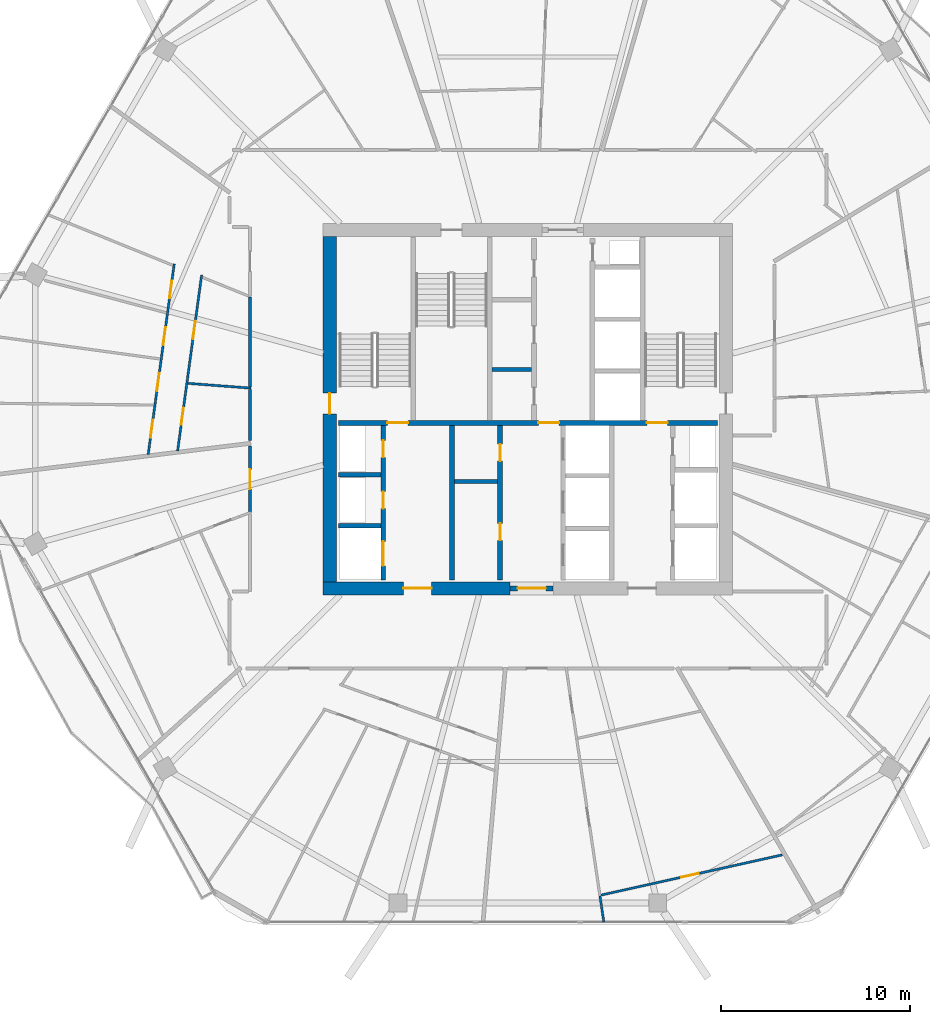
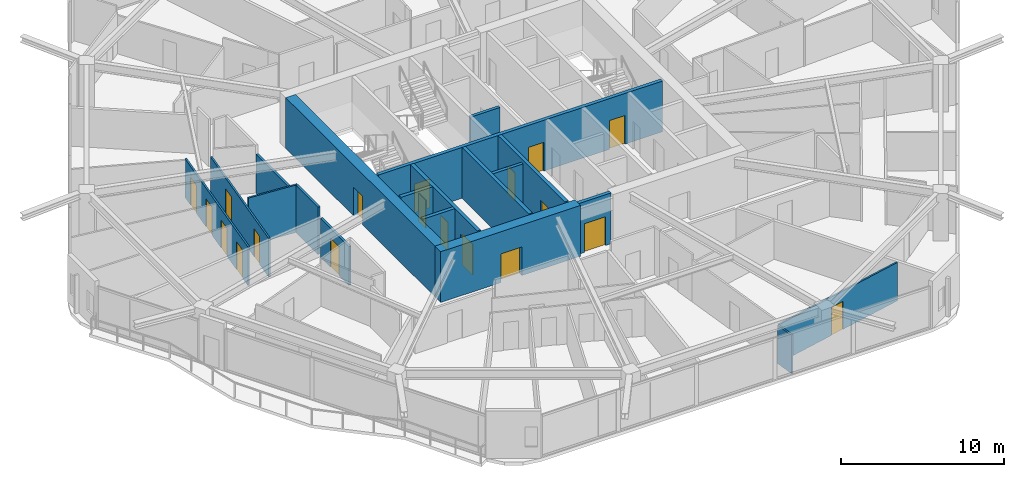
# One storey, part 19 of 26: 19 doors, 19 walls, 19 openings.
"""IFC4 building model written with IfcOpenShell, lengths in metres."""

from ifc_helpers import new_model, si_unit, direction, frame, frame_2d, origin, place, context, subcontext, project, spatial, rectangle, extrude, material, layer, layer_set, type_object, element, fill, save


model = new_model("IFC4")

# Units and contexts
model_context = context("Model", 3, precision=1e-05, world=origin(), true_north=direction((0.0, 1.0)))
body_context = subcontext(model_context, "Body", "Model", "MODEL_VIEW")
ifc_project = project(units=[si_unit("LENGTHUNIT", "METRE"), si_unit("AREAUNIT", "SQUARE_METRE"), si_unit("VOLUMEUNIT", "CUBIC_METRE"), si_unit("PLANEANGLEUNIT", "RADIAN"), si_unit("MASSUNIT", "GRAM", prefix="KILO")], contexts=[model_context])

# Site, building, storey
site_placement = place(None, origin())
site = spatial("IfcSite", under=ifc_project, at=site_placement, CompositionType="ELEMENT")
building_placement = place(site_placement, origin())
building = spatial("IfcBuilding", under=site, at=building_placement, Name="Zuhravey Tower", CompositionType="ELEMENT")
storey_placement = place(building_placement, frame((0.0, 0.0, 203.60009765625)))
storey = spatial("IfcBuildingStorey", under=building, at=storey_placement, Name="L51", CompositionType="ELEMENT", Elevation=203.60009765625)

# Wall, opening, door
ifc_material_1 = material(Name="Concrete C60/75", Category="concrete")
ifc_layer_1 = layer(ifc_material_1, 0.699951171875)
ifc_layer_set_1 = layer_set([ifc_layer_1], Name="Concrete C60/75")
wall_type_1 = type_object("IfcWallType", Name="Core Shear Wall 700", PredefinedType="SHEAR", material=ifc_layer_set_1)
wall_1_placement = place(storey_placement, frame((25.14990234375, 22.5, 0.0), z_axis=(0.0, 0.0, 1.0), x_axis=(1.0, 0.0, 0.0)))
wall_1 = element("IfcWall", 1, at=wall_1_placement, inside=storey, type_object=wall_type_1, Name="L51 South-West Core Shear Wall CW70", PredefinedType="SHEAR", context=body_context, shape_type="SweptSolid", body=[
    extrude(rectangle(XDim=9.900146484375, YDim=0.699951171875, at=frame_2d((4.9501953125, 0.0))), origin(), (0.0, 0.0, 1.0), 3.7998046875),
])
opening_1_placement = place(wall_1_placement, frame((4.25, 0.0, 0.0)))
opening_1 = element("IfcOpeningElement", 2, at=opening_1_placement, cuts=wall_1, Name="Opening FFD1", PredefinedType="OPENING", context=body_context, shape_type="SweptSolid", body=[
    extrude(rectangle(XDim=1.5, YDim=2.14990234375, at=frame_2d((0.75, 1.074951171875))), frame((0.0, 0.362060546875, 0.0), z_axis=(0.0, -1.0, 0.0), x_axis=(1.0, 0.0, 0.0)), (0.0, 0.0, 1.0), 0.723876953125),
])
ifc_material_2 = material(Name="Galvanised fire-rated steel leaf", Category="steel")
door_type_1 = type_object("IfcDoorType", Name="Firefighting Lobby Double Door 1500x2150", OperationType="DOUBLE_DOOR_SINGLE_SWING", PredefinedType="DOOR", material=ifc_material_2)
door_1_placement = place(opening_1_placement, origin())
door_1 = element("IfcDoor", 3, at=door_1_placement, inside=storey, type_object=door_type_1, Name="L51 Firefighting Lobby West Door", OperationType="DOUBLE_DOOR_SINGLE_SWING", OverallHeight=2.14990234375, OverallWidth=1.5, PredefinedType="DOOR", context=body_context, shape_type="SweptSolid", body=[
    extrude(rectangle(XDim=1.5, YDim=2.14990234375, at=frame_2d((0.75, 1.074951171875))), frame((0.0, 0.02490234375, 0.0), z_axis=(0.0, -1.0, 0.0), x_axis=(1.0, 0.0, 0.0)), (0.0, 0.0, 1.0), 0.050048828125),
])
fill(opening_1, door_1)

wall_2_placement = place(storey_placement, frame((25.5, 22.85009765625, 0.0), z_axis=(0.0, 0.0, 1.0), x_axis=(0.0, 1.0, 0.0)))
wall_2 = element("IfcWall", 4, at=wall_2_placement, inside=storey, type_object=wall_type_1, Name="L51 West Core Shear Wall CW70", PredefinedType="SHEAR", context=body_context, shape_type="SweptSolid", body=[
    extrude(rectangle(XDim=18.2998046875, YDim=0.699951171875, at=frame_2d((9.14990234375, 0.0))), origin(), (0.0, 0.0, 1.0), 3.7998046875),
])
opening_2_placement = place(wall_2_placement, frame((8.89990234375, 0.0, 0.0)))
opening_2 = element("IfcOpeningElement", 5, at=opening_2_placement, cuts=wall_2, Name="Opening STD1", PredefinedType="OPENING", context=body_context, shape_type="SweptSolid", body=[
    extrude(rectangle(XDim=1.10009765625, YDim=2.14990234375, at=frame_2d((0.550048828125, 1.074951171875))), frame((0.0, 0.362060546875, 0.0), z_axis=(0.0, -1.0, 0.0), x_axis=(1.0, 0.0, 0.0)), (0.0, 0.0, 1.0), 0.723876953125),
])
door_type_2 = type_object("IfcDoorType", Name="Protected Stair Fire Door 1100x2150", OperationType="NOTDEFINED", PredefinedType="USERDEFINED", material=ifc_material_2)
door_2_placement = place(opening_2_placement, frame((1.10009765625, 0.0, 0.0), z_axis=(0.0, 0.0, 1.0), x_axis=(-1.0, 0.0, 0.0)))
door_2 = element("IfcDoor", 6, at=door_2_placement, inside=storey, type_object=door_type_2, Name="L51 Stair ST1 Door", ObjectType="EXITDOOR", OperationType="SINGLE_SWING_RIGHT", OverallHeight=2.14990234375, OverallWidth=1.10009765625, PredefinedType="USERDEFINED", context=body_context, shape_type="SweptSolid", body=[
    extrude(rectangle(XDim=1.10009765625, YDim=2.14990234375, at=frame_2d((0.550048828125, 1.074951171875))), frame((0.0, 0.02490234375, 0.0), z_axis=(0.0, -1.0, 0.0), x_axis=(1.0, 0.0, 0.0)), (0.0, 0.0, 1.0), 0.050048828125),
])
fill(opening_2, door_2)

ifc_material_3 = material(Name="Gypsum fire-rated stud partition")
ifc_layer_2 = layer(ifc_material_3, 0.159912109375)
ifc_layer_set_2 = layer_set([ifc_layer_2], Name="Gypsum fire-rated stud partition")
wall_type_2 = type_object("IfcWallType", Name="Corridor Fire Partition 160", PredefinedType="PARTITIONING", material=ifc_layer_set_2)
wall_3_placement = place(storey_placement, frame((21.27001953125, 30.04052734375, 0.0), z_axis=(0.0, 0.0, 1.0), x_axis=(0.0, -1.0, 0.0)))
wall_3 = element("IfcWall", 7, at=wall_3_placement, inside=storey, type_object=wall_type_2, Name="L51 IW16 Partition 039", PredefinedType="PARTITIONING", context=body_context, shape_type="SweptSolid", body=[
    extrude(rectangle(XDim=3.503173828125, YDim=0.159912109375, at=frame_2d((1.75146484375, 0.0))), origin(), (0.0, 0.0, 1.0), 2.89990234375),
])
opening_3_placement = place(wall_3_placement, frame((1.2265625, 0.0, 0.0)))
opening_3 = element("IfcOpeningElement", 8, at=opening_3_placement, cuts=wall_3, Name="Opening APD1", PredefinedType="OPENING", context=body_context, shape_type="SweptSolid", body=[
    extrude(rectangle(XDim=1.050048828125, YDim=2.14990234375, at=frame_2d((0.52490234375, 1.074951171875))), frame((0.0, 0.092041015625, 0.0), z_axis=(0.0, -1.0, 0.0), x_axis=(1.0, 0.0, 0.0)), (0.0, 0.0, 1.0), 0.183837890625),
])
ifc_material_4 = material(Name="Solid-core oak fire-rated leaf")
door_type_3 = type_object("IfcDoorType", Name="Apartment Entrance Fire Door 1050x2150", OperationType="NOTDEFINED", PredefinedType="DOOR", material=ifc_material_4)
door_3_placement = place(opening_3_placement, frame((1.050048828125, 0.0, 0.0), z_axis=(0.0, 0.0, 1.0), x_axis=(-1.0, 0.0, 0.0)))
door_3 = element("IfcDoor", 9, at=door_3_placement, inside=storey, type_object=door_type_3, Name="L51 Door 039.1", OperationType="SINGLE_SWING_RIGHT", OverallHeight=2.14990234375, OverallWidth=1.050048828125, PredefinedType="DOOR", context=body_context, shape_type="SweptSolid", body=[
    extrude(rectangle(XDim=1.050048828125, YDim=2.14990234375, at=frame_2d((0.52490234375, 1.074951171875))), frame((0.0, 0.02490234375, 0.0), z_axis=(0.0, -1.0, 0.0), x_axis=(1.0, 0.0, 0.0)), (0.0, 0.0, 1.0), 0.050048828125),
])
fill(opening_3, door_3)

# Walls
wall_4_placement = place(storey_placement, frame((21.27001953125, 37.94775390625, 0.0), z_axis=(0.0, 0.0, 1.0), x_axis=(0.0, -1.0, 0.0)))
element("IfcWall", 10, at=wall_4_placement, inside=storey, type_object=wall_type_2, Name="L51 IW16 Partition 127", PredefinedType="PARTITIONING", context=body_context, shape_type="SweptSolid", body=[
    extrude(rectangle(XDim=4.75830078125, YDim=0.159912109375, at=frame_2d((2.379150390625, 0.0))), origin(), (0.0, 0.0, 1.0), 2.89990234375),
])
wall_5_placement = place(storey_placement, frame((21.27001953125, 33.052978515625, 0.0), z_axis=(0.0, 0.0, 1.0), x_axis=(0.0, -1.0, 0.0)))
element("IfcWall", 11, at=wall_5_placement, inside=storey, type_object=wall_type_2, Name="L51 IW16 Partition 128", PredefinedType="PARTITIONING", context=body_context, shape_type="SweptSolid", body=[
    extrude(rectangle(XDim=2.711181640625, YDim=0.159912109375, at=frame_2d((1.35546875, 0.0))), origin(), (0.0, 0.0, 1.0), 3.5498046875),
])

# Wall, opening, door
ifc_material_5 = material(Name="Concrete C50/60", Category="concrete")
ifc_layer_3 = layer(ifc_material_5, 0.25)
ifc_layer_set_3 = layer_set([ifc_layer_3], Name="Concrete C50/60")
wall_type_3 = type_object("IfcWallType", Name="Firefighting Shaft & Stair Wall 250", PredefinedType="SOLIDWALL", material=ifc_layer_set_3)
wall_6_placement = place(storey_placement, frame((35.06005859375, 22.5, 0.0), z_axis=(0.0, 0.0, 1.0), x_axis=(1.0, 0.0, 0.0)))
wall_6 = element("IfcWall", 12, at=wall_6_placement, inside=storey, type_object=wall_type_3, Name="L51 FW25 Shaft Wall 001", PredefinedType="SOLIDWALL", context=body_context, shape_type="SweptSolid", body=[
    extrude(rectangle(XDim=2.280029296875, YDim=0.25, at=frame_2d((1.14013671875, 0.0))), origin(), (0.0, 0.0, 1.0), 3.7998046875),
])
opening_4_placement = place(wall_6_placement, frame((0.389892578125, 0.0, 0.0)))
opening_4 = element("IfcOpeningElement", 13, at=opening_4_placement, cuts=wall_6, Name="Opening FFD1", PredefinedType="OPENING", context=body_context, shape_type="SweptSolid", body=[
    extrude(rectangle(XDim=1.5, YDim=2.14990234375, at=frame_2d((0.75, 1.074951171875))), frame((0.0, 0.136962890625, 0.0), z_axis=(0.0, -1.0, 0.0), x_axis=(1.0, 0.0, 0.0)), (0.0, 0.0, 1.0), 0.27392578125),
])
door_4_placement = place(opening_4_placement, frame((1.5, 0.0, 0.0), z_axis=(0.0, 0.0, 1.0), x_axis=(-1.0, 0.0, 0.0)))
door_4 = element("IfcDoor", 14, at=door_4_placement, inside=storey, type_object=door_type_1, Name="L51 South Lift Lobby Exit Door", OperationType="DOUBLE_DOOR_SINGLE_SWING", OverallHeight=2.14990234375, OverallWidth=1.5, PredefinedType="DOOR", context=body_context, shape_type="SweptSolid", body=[
    extrude(rectangle(XDim=1.5, YDim=2.14990234375, at=frame_2d((0.75, 1.074951171875))), frame((0.0, 0.02490234375, 0.0), z_axis=(0.0, -1.0, 0.0), x_axis=(1.0, 0.0, 0.0)), (0.0, 0.0, 1.0), 0.050048828125),
])
fill(opening_4, door_4)

# Wall, openings, doors
wall_7_placement = place(storey_placement, frame((25.949951171875, 31.27490234375, 0.0), z_axis=(0.0, 0.0, 1.0), x_axis=(1.0, 0.0, 0.0)))
wall_7 = element("IfcWall", 15, at=wall_7_placement, inside=storey, type_object=wall_type_3, Name="L51 FW25 Shaft Wall 003", PredefinedType="SOLIDWALL", context=body_context, shape_type="SweptSolid", body=[
    extrude(rectangle(XDim=20.10009765625, YDim=0.25, at=frame_2d((10.050048828125, 0.0))), origin(), (0.0, 0.0, 1.0), 3.7998046875),
])
opening_5_placement = place(wall_7_placement, frame((2.60009765625, 0.0, 0.0)))
opening_5 = element("IfcOpeningElement", 16, at=opening_5_placement, cuts=wall_7, Name="Opening STD1", PredefinedType="OPENING", context=body_context, shape_type="SweptSolid", body=[
    extrude(rectangle(XDim=1.10009765625, YDim=2.14990234375, at=frame_2d((0.550048828125, 1.074951171875))), frame((0.0, 0.136962890625, 0.0), z_axis=(0.0, -1.0, 0.0), x_axis=(1.0, 0.0, 0.0)), (0.0, 0.0, 1.0), 0.27392578125),
])
opening_6_placement = place(wall_7_placement, frame((10.60009765625, 0.0, 0.0)))
opening_6 = element("IfcOpeningElement", 17, at=opening_6_placement, cuts=wall_7, Name="Opening STD1", PredefinedType="OPENING", context=body_context, shape_type="SweptSolid", body=[
    extrude(rectangle(XDim=1.10009765625, YDim=2.14990234375, at=frame_2d((0.550048828125, 1.074951171875))), frame((0.0, 0.136962890625, 0.0), z_axis=(0.0, -1.0, 0.0), x_axis=(1.0, 0.0, 0.0)), (0.0, 0.0, 1.0), 0.27392578125),
])
opening_7_placement = place(wall_7_placement, frame((16.35009765625, 0.0, 0.0)))
opening_7 = element("IfcOpeningElement", 18, at=opening_7_placement, cuts=wall_7, Name="Opening STD1", PredefinedType="OPENING", context=body_context, shape_type="SweptSolid", body=[
    extrude(rectangle(XDim=1.10009765625, YDim=2.14990234375, at=frame_2d((0.550048828125, 1.074951171875))), frame((0.0, 0.136962890625, 0.0), z_axis=(0.0, -1.0, 0.0), x_axis=(1.0, 0.0, 0.0)), (0.0, 0.0, 1.0), 0.27392578125),
])
door_5_placement = place(opening_5_placement, origin())
door_5 = element("IfcDoor", 19, at=door_5_placement, inside=storey, type_object=door_type_2, Name="L51 FFL-W to ST1 Door", ObjectType="EXITDOOR", OperationType="SINGLE_SWING_LEFT", OverallHeight=2.14990234375, OverallWidth=1.10009765625, PredefinedType="USERDEFINED", context=body_context, shape_type="SweptSolid", body=[
    extrude(rectangle(XDim=1.10009765625, YDim=2.14990234375, at=frame_2d((0.550048828125, 1.074951171875))), frame((0.0, 0.02490234375, 0.0), z_axis=(0.0, -1.0, 0.0), x_axis=(1.0, 0.0, 0.0)), (0.0, 0.0, 1.0), 0.050048828125),
])
fill(opening_5, door_5)
door_6_placement = place(opening_6_placement, origin())
door_6 = element("IfcDoor", 20, at=door_6_placement, inside=storey, type_object=door_type_2, Name="L51 Core Lobby Link Door", ObjectType="EXITDOOR", OperationType="SINGLE_SWING_RIGHT", OverallHeight=2.14990234375, OverallWidth=1.10009765625, PredefinedType="USERDEFINED", context=body_context, shape_type="SweptSolid", body=[
    extrude(rectangle(XDim=1.10009765625, YDim=2.14990234375, at=frame_2d((0.550048828125, 1.074951171875))), frame((0.0, 0.02490234375, 0.0), z_axis=(0.0, -1.0, 0.0), x_axis=(1.0, 0.0, 0.0)), (0.0, 0.0, 1.0), 0.050048828125),
])
fill(opening_6, door_6)
door_7_placement = place(opening_7_placement, origin())
door_7 = element("IfcDoor", 21, at=door_7_placement, inside=storey, type_object=door_type_2, Name="L51 FFL-E to ST2 Door", ObjectType="EXITDOOR", OperationType="SINGLE_SWING_LEFT", OverallHeight=2.14990234375, OverallWidth=1.10009765625, PredefinedType="USERDEFINED", context=body_context, shape_type="SweptSolid", body=[
    extrude(rectangle(XDim=1.10009765625, YDim=2.14990234375, at=frame_2d((0.550048828125, 1.074951171875))), frame((0.0, 0.02490234375, 0.0), z_axis=(0.0, -1.0, 0.0), x_axis=(1.0, 0.0, 0.0)), (0.0, 0.0, 1.0), 0.050048828125),
])
fill(opening_7, door_7)

# Walls
for number, where, z_axis, x_axis, name in (
    (22, (25.949951171875, 25.824951171875, 0.0), (0.0, 0.0, 1.0), (1.0, 0.0, 0.0), "L51 FW25 Shaft Wall 009"),
    (23, (25.949951171875, 28.52490234375, 0.0), (0.0, 0.0, 1.0), (1.0, 0.0, 0.0), "L51 FW25 Shaft Wall 010"),
):
    element("IfcWall", number, at=place(storey_placement, frame(where, z_axis=z_axis, x_axis=x_axis)), inside=storey, type_object=wall_type_3, Name=name, PredefinedType="SOLIDWALL", context=body_context, shape_type="SweptSolid", body=[
        extrude(rectangle(XDim=2.25, YDim=0.25, at=frame_2d((1.125, 0.0))), origin(), (0.0, 0.0, 1.0), 3.7998046875),
    ])

# Wall, openings, doors
wall_8_placement = place(storey_placement, frame((28.324951171875, 22.949951171875, 0.0), z_axis=(0.0, 0.0, 1.0), x_axis=(0.0, 1.0, 0.0)))
wall_8 = element("IfcWall", 24, at=wall_8_placement, inside=storey, type_object=wall_type_3, Name="L51 FW25 Shaft Wall 011", PredefinedType="SOLIDWALL", context=body_context, shape_type="SweptSolid", body=[
    extrude(rectangle(XDim=8.199951171875, YDim=0.25, at=frame_2d((4.10009765625, 0.0))), origin(), (0.0, 0.0, 1.0), 3.7998046875),
])
opening_8_placement = place(wall_8_placement, frame((0.75, 0.0, 0.0)))
opening_8 = element("IfcOpeningElement", 25, at=opening_8_placement, cuts=wall_8, Name="Opening LD2", PredefinedType="OPENING", context=body_context, shape_type="SweptSolid", body=[
    extrude(rectangle(XDim=1.300048828125, YDim=2.300048828125, at=frame_2d((0.64990234375, 1.14990234375))), frame((0.0, 0.136962890625, 0.0), z_axis=(0.0, -1.0, 0.0), x_axis=(1.0, 0.0, 0.0)), (0.0, 0.0, 1.0), 0.27392578125),
])
opening_9_placement = place(wall_8_placement, frame((3.780029296875, 0.0, 0.0)))
opening_9 = element("IfcOpeningElement", 26, at=opening_9_placement, cuts=wall_8, Name="Opening RSD1", PredefinedType="OPENING", context=body_context, shape_type="SweptSolid", body=[
    extrude(rectangle(XDim=0.89990234375, YDim=2.10009765625, at=frame_2d((0.449951171875, 1.050048828125))), frame((0.0, 0.136962890625, 0.0), z_axis=(0.0, -1.0, 0.0), x_axis=(1.0, 0.0, 0.0)), (0.0, 0.0, 1.0), 0.27392578125),
])
opening_10_placement = place(wall_8_placement, frame((6.5, 0.0, 0.0)))
opening_10 = element("IfcOpeningElement", 27, at=opening_10_placement, cuts=wall_8, Name="Opening RSD1", PredefinedType="OPENING", context=body_context, shape_type="SweptSolid", body=[
    extrude(rectangle(XDim=0.89990234375, YDim=2.10009765625, at=frame_2d((0.449951171875, 1.050048828125))), frame((0.0, 0.136962890625, 0.0), z_axis=(0.0, -1.0, 0.0), x_axis=(1.0, 0.0, 0.0)), (0.0, 0.0, 1.0), 0.27392578125),
])
ifc_material_6 = material(Name="Brushed stainless steel", Category="steel")
door_type_4 = type_object("IfcDoorType", Name="Freight & Stretcher Lift Sliding Door 1300x2300", OperationType="DOUBLE_DOOR_SLIDING", PredefinedType="DOOR", material=ifc_material_6)
door_8_placement = place(opening_8_placement, frame((1.300048828125, 0.0, 0.0), z_axis=(0.0, 0.0, 1.0), x_axis=(-1.0, 0.0, 0.0)))
door_8 = element("IfcDoor", 28, at=door_8_placement, inside=storey, type_object=door_type_4, Name="L51 Lift FF1 Landing Door", OperationType="DOUBLE_DOOR_SLIDING", OverallHeight=2.300048828125, OverallWidth=1.300048828125, PredefinedType="DOOR", context=body_context, shape_type="SweptSolid", body=[
    extrude(rectangle(XDim=1.300048828125, YDim=2.300048828125, at=frame_2d((0.64990234375, 1.14990234375))), frame((0.0, 0.02490234375, 0.0), z_axis=(0.0, -1.0, 0.0), x_axis=(1.0, 0.0, 0.0)), (0.0, 0.0, 1.0), 0.050048828125),
])
fill(opening_8, door_8)
ifc_material_7 = material(Name="Galvanised fire-rated steel access leaf", Category="steel")
door_type_5 = type_object("IfcDoorType", Name="Riser & Shaft Access Fire Door 900x2100", OperationType="NOTDEFINED", PredefinedType="DOOR", material=ifc_material_7)
door_9_placement = place(opening_9_placement, frame((0.89990234375, 0.0, 0.0), z_axis=(0.0, 0.0, 1.0), x_axis=(-1.0, 0.0, 0.0)))
door_9 = element("IfcDoor", 29, at=door_9_placement, inside=storey, type_object=door_type_5, Name="L51 Electrical Riser Door", OperationType="SINGLE_SWING_RIGHT", OverallHeight=2.10009765625, OverallWidth=0.89990234375, PredefinedType="DOOR", context=body_context, shape_type="SweptSolid", body=[
    extrude(rectangle(XDim=0.89990234375, YDim=2.10009765625, at=frame_2d((0.449951171875, 1.050048828125))), frame((0.0, 0.02490234375, 0.0), z_axis=(0.0, -1.0, 0.0), x_axis=(1.0, 0.0, 0.0)), (0.0, 0.0, 1.0), 0.050048828125),
])
fill(opening_9, door_9)
door_10_placement = place(opening_10_placement, frame((0.89990234375, 0.0, 0.0), z_axis=(0.0, 0.0, 1.0), x_axis=(-1.0, 0.0, 0.0)))
door_10 = element("IfcDoor", 30, at=door_10_placement, inside=storey, type_object=door_type_5, Name="L51 Smoke Shaft Access Door", OperationType="SINGLE_SWING_LEFT", OverallHeight=2.10009765625, OverallWidth=0.89990234375, PredefinedType="DOOR", context=body_context, shape_type="SweptSolid", body=[
    extrude(rectangle(XDim=0.89990234375, YDim=2.10009765625, at=frame_2d((0.449951171875, 1.050048828125))), frame((0.0, 0.02490234375, 0.0), z_axis=(0.0, -1.0, 0.0), x_axis=(1.0, 0.0, 0.0)), (0.0, 0.0, 1.0), 0.050048828125),
])
fill(opening_10, door_10)

# Wall
wall_9_placement = place(storey_placement, frame((31.97509765625, 22.949951171875, 0.0), z_axis=(0.0, 0.0, 1.0), x_axis=(0.0, 1.0, 0.0)))
element("IfcWall", 31, at=wall_9_placement, inside=storey, type_object=wall_type_3, Name="L51 FW25 Shaft Wall 012", PredefinedType="SOLIDWALL", context=body_context, shape_type="SweptSolid", body=[
    extrude(rectangle(XDim=8.199951171875, YDim=0.25, at=frame_2d((4.10009765625, 0.0))), origin(), (0.0, 0.0, 1.0), 3.7998046875),
])

# Wall, openings, doors
wall_10_placement = place(storey_placement, frame((34.52490234375, 22.949951171875, 0.0), z_axis=(0.0, 0.0, 1.0), x_axis=(0.0, 1.0, 0.0)))
wall_10 = element("IfcWall", 32, at=wall_10_placement, inside=storey, type_object=wall_type_3, Name="L51 FW25 Shaft Wall 013", PredefinedType="SOLIDWALL", context=body_context, shape_type="SweptSolid", body=[
    extrude(rectangle(XDim=8.199951171875, YDim=0.25, at=frame_2d((4.10009765625, 0.0))), origin(), (0.0, 0.0, 1.0), 3.7998046875),
])
opening_11_placement = place(wall_10_placement, frame((2.10009765625, 0.0, 0.0)))
opening_11 = element("IfcOpeningElement", 33, at=opening_11_placement, cuts=wall_10, Name="Opening RSD1", PredefinedType="OPENING", context=body_context, shape_type="SweptSolid", body=[
    extrude(rectangle(XDim=0.89990234375, YDim=2.10009765625, at=frame_2d((0.449951171875, 1.050048828125))), frame((0.0, 0.136962890625, 0.0), z_axis=(0.0, -1.0, 0.0), x_axis=(1.0, 0.0, 0.0)), (0.0, 0.0, 1.0), 0.27392578125),
])
opening_12_placement = place(wall_10_placement, frame((6.300048828125, 0.0, 0.0)))
opening_12 = element("IfcOpeningElement", 34, at=opening_12_placement, cuts=wall_10, Name="Opening RSD1", PredefinedType="OPENING", context=body_context, shape_type="SweptSolid", body=[
    extrude(rectangle(XDim=0.89990234375, YDim=2.10009765625, at=frame_2d((0.449951171875, 1.050048828125))), frame((0.0, 0.136962890625, 0.0), z_axis=(0.0, -1.0, 0.0), x_axis=(1.0, 0.0, 0.0)), (0.0, 0.0, 1.0), 0.27392578125),
])
door_11_placement = place(opening_11_placement, origin())
door_11 = element("IfcDoor", 35, at=door_11_placement, inside=storey, type_object=door_type_5, Name="L51 Housekeeping Store Door", OperationType="SINGLE_SWING_RIGHT", OverallHeight=2.10009765625, OverallWidth=0.89990234375, PredefinedType="DOOR", context=body_context, shape_type="SweptSolid", body=[
    extrude(rectangle(XDim=0.89990234375, YDim=2.10009765625, at=frame_2d((0.449951171875, 1.050048828125))), frame((0.0, 0.02490234375, 0.0), z_axis=(0.0, -1.0, 0.0), x_axis=(1.0, 0.0, 0.0)), (0.0, 0.0, 1.0), 0.050048828125),
])
fill(opening_11, door_11)
door_12_placement = place(opening_12_placement, origin())
door_12 = element("IfcDoor", 36, at=door_12_placement, inside=storey, type_object=door_type_5, Name="L51 Comms Closet Door", OperationType="SINGLE_SWING_LEFT", OverallHeight=2.10009765625, OverallWidth=0.89990234375, PredefinedType="DOOR", context=body_context, shape_type="SweptSolid", body=[
    extrude(rectangle(XDim=0.89990234375, YDim=2.10009765625, at=frame_2d((0.449951171875, 1.050048828125))), frame((0.0, 0.02490234375, 0.0), z_axis=(0.0, -1.0, 0.0), x_axis=(1.0, 0.0, 0.0)), (0.0, 0.0, 1.0), 0.050048828125),
])
fill(opening_12, door_12)

# Walls
ifc_material_8 = material(Name="Gypsum acoustic stud assembly")
ifc_layer_4 = layer(ifc_material_8, 0.219970703125)
ifc_layer_set_4 = layer_set([ifc_layer_4], Name="Gypsum acoustic stud assembly")
wall_type_4 = type_object("IfcWallType", Name="School Acoustic Compartment Wall 220", PredefinedType="PARTITIONING", material=ifc_layer_set_4)
wall_11_placement = place(storey_placement, frame((34.10791015625, 34.10009765625, 0.0), z_axis=(0.0, 0.0, 1.0), x_axis=(1.0, 0.0, 0.0)))
element("IfcWall", 37, at=wall_11_placement, inside=storey, type_object=wall_type_4, Name="L51 IW22 Partition 057", PredefinedType="PARTITIONING", context=body_context, shape_type="SweptSolid", body=[
    extrude(rectangle(XDim=2.083984375, YDim=0.219970703125, at=frame_2d((1.0419921875, 0.0))), origin(), (0.0, 0.0, 1.0), 3.5498046875),
])
wall_12_placement = place(storey_placement, frame((32.10791015625, 28.175048828125, 0.0), z_axis=(0.0, 0.0, 1.0), x_axis=(1.0, 0.0, 0.0)))
element("IfcWall", 38, at=wall_12_placement, inside=storey, type_object=wall_type_4, Name="L51 IW22 Partition 062", PredefinedType="PARTITIONING", context=body_context, shape_type="SweptSolid", body=[
    extrude(rectangle(XDim=2.2841796875, YDim=0.219970703125, at=frame_2d((1.14208984375, 0.0))), origin(), (0.0, 0.0, 1.0), 3.5498046875),
])

# Wall, openings, doors
ifc_material_9 = material(Name="Gypsum metal-stud partition")
ifc_layer_5 = layer(ifc_material_9, 0.1201171875)
ifc_layer_set_5 = layer_set([ifc_layer_5], Name="Gypsum metal-stud partition")
wall_type_5 = type_object("IfcWallType", Name="Unit Internal Partition 120", PredefinedType="PARTITIONING", material=ifc_layer_set_5)
wall_13_placement = place(storey_placement, frame((18.706298828125, 39.115966796875, 0.0), z_axis=(0.0, 0.0, 1.0), x_axis=(-0.13535494672, -0.990797173188, 0.0)))
wall_13 = element("IfcWall", 39, at=wall_13_placement, inside=storey, type_object=wall_type_5, Name="L51 IW12 Partition 033", PredefinedType="PARTITIONING", context=body_context, shape_type="SweptSolid", body=[
    extrude(rectangle(XDim=9.4189453125, YDim=0.1201171875, at=frame_2d((4.70947265625, 0.0))), origin(), (0.0, 0.0, 1.0), 2.89990234375),
])
opening_13_placement = place(wall_13_placement, frame((2.47314453125, 0.0, 0.0)))
opening_13 = element("IfcOpeningElement", 40, at=opening_13_placement, cuts=wall_13, Name="Opening IND1", PredefinedType="OPENING", context=body_context, shape_type="SweptSolid", body=[
    extrude(rectangle(XDim=0.949951171875, YDim=2.10009765625, at=frame_2d((0.47509765625, 1.050048828125))), frame((0.0, 0.072021484375, 0.0), z_axis=(0.0, -1.0, 0.0), x_axis=(1.0, 0.0, 0.0)), (0.0, 0.0, 1.0), 0.14404296875),
])
opening_14_placement = place(wall_13_placement, frame((7.1044921875, 0.0, 0.0)))
opening_14 = element("IfcOpeningElement", 41, at=opening_14_placement, cuts=wall_13, Name="Opening WCD1", PredefinedType="OPENING", context=body_context, shape_type="SweptSolid", body=[
    extrude(rectangle(XDim=0.89990234375, YDim=2.10009765625, at=frame_2d((0.449951171875, 1.050048828125))), frame((0.0, 0.072021484375, 0.0), z_axis=(0.0, -1.0, 0.0), x_axis=(1.0, 0.0, 0.0)), (0.0, 0.0, 1.0), 0.14404296875),
])
ifc_material_10 = material(Name="Moisture-resistant timber leaf", Category="wood")
door_type_6 = type_object("IfcDoorType", Name="Bathroom & WC Internal Door 900x2100", OperationType="NOTDEFINED", PredefinedType="DOOR", material=ifc_material_10)
door_13_placement = place(opening_14_placement, origin())
door_13 = element("IfcDoor", 42, at=door_13_placement, inside=storey, type_object=door_type_6, Name="Apartment L51-04 Bathroom Door", OperationType="SINGLE_SWING_LEFT", OverallHeight=2.10009765625, OverallWidth=0.89990234375, PredefinedType="DOOR", context=body_context, shape_type="SweptSolid", body=[
    extrude(rectangle(XDim=0.89990234375, YDim=2.10009765625, at=frame_2d((0.449951171875, 1.050048828125))), frame((0.0, 0.02490234375, 0.0), z_axis=(0.0, -1.0, 0.0), x_axis=(1.0, 0.0, 0.0)), (0.0, 0.0, 1.0), 0.050048828125),
])
fill(opening_14, door_13)
ifc_material_11 = material(Name="Painted engineered timber leaf", Category="wood")
door_type_7 = type_object("IfcDoorType", Name="Internal Room & Bedroom Door 950x2100", OperationType="NOTDEFINED", PredefinedType="DOOR", material=ifc_material_11)
door_14_placement = place(opening_13_placement, origin())
door_14 = element("IfcDoor", 43, at=door_14_placement, inside=storey, type_object=door_type_7, Name="Apartment L51-04 Kitchen Door", OperationType="SINGLE_SWING_RIGHT", OverallHeight=2.10009765625, OverallWidth=0.949951171875, PredefinedType="DOOR", context=body_context, shape_type="SweptSolid", body=[
    extrude(rectangle(XDim=0.949951171875, YDim=2.10009765625, at=frame_2d((0.47509765625, 1.050048828125))), frame((0.0, 0.02490234375, 0.0), z_axis=(0.0, -1.0, 0.0), x_axis=(1.0, 0.0, 0.0)), (0.0, 0.0, 1.0), 0.050048828125),
])
fill(opening_13, door_14)

wall_14_placement = place(storey_placement, frame((17.252685546875, 39.705078125, 0.0), z_axis=(0.0, 0.0, 1.0), x_axis=(-0.135355835597, -0.990797051757, 0.0)))
wall_14 = element("IfcWall", 44, at=wall_14_placement, inside=storey, type_object=wall_type_5, Name="L51 IW12 Partition 034", PredefinedType="PARTITIONING", context=body_context, shape_type="SweptSolid", body=[
    extrude(rectangle(XDim=10.192626953125, YDim=0.1201171875, at=frame_2d((5.09619140625, 0.0))), origin(), (0.0, 0.0, 1.0), 2.89990234375),
])
opening_15_placement = place(wall_14_placement, frame((0.894287109375, 0.0, 0.0)))
opening_15 = element("IfcOpeningElement", 45, at=opening_15_placement, cuts=wall_14, Name="Opening IND1", PredefinedType="OPENING", context=body_context, shape_type="SweptSolid", body=[
    extrude(rectangle(XDim=0.949951171875, YDim=2.10009765625, at=frame_2d((0.47509765625, 1.050048828125))), frame((0.0, 0.072021484375, 0.0), z_axis=(0.0, -1.0, 0.0), x_axis=(1.0, 0.0, 0.0)), (0.0, 0.0, 1.0), 0.14404296875),
])
opening_16_placement = place(wall_14_placement, frame((3.392333984375, 0.0, 0.0)))
opening_16 = element("IfcOpeningElement", 46, at=opening_16_placement, cuts=wall_14, Name="Opening IND1", PredefinedType="OPENING", context=body_context, shape_type="SweptSolid", body=[
    extrude(rectangle(XDim=0.949951171875, YDim=2.10009765625, at=frame_2d((0.47509765625, 1.050048828125))), frame((0.0, 0.072021484375, 0.0), z_axis=(0.0, -1.0, 0.0), x_axis=(1.0, 0.0, 0.0)), (0.0, 0.0, 1.0), 0.14404296875),
])
opening_17_placement = place(wall_14_placement, frame((5.8505859375, 0.0, 0.0)))
opening_17 = element("IfcOpeningElement", 47, at=opening_17_placement, cuts=wall_14, Name="Opening IND1", PredefinedType="OPENING", context=body_context, shape_type="SweptSolid", body=[
    extrude(rectangle(XDim=0.949951171875, YDim=2.10009765625, at=frame_2d((0.47509765625, 1.050048828125))), frame((0.0, 0.072021484375, 0.0), z_axis=(0.0, -1.0, 0.0), x_axis=(1.0, 0.0, 0.0)), (0.0, 0.0, 1.0), 0.14404296875),
])
opening_18_placement = place(wall_14_placement, frame((8.348388671875, 0.0, 0.0)))
opening_18 = element("IfcOpeningElement", 48, at=opening_18_placement, cuts=wall_14, Name="Opening IND1", PredefinedType="OPENING", context=body_context, shape_type="SweptSolid", body=[
    extrude(rectangle(XDim=0.949951171875, YDim=2.10009765625, at=frame_2d((0.47509765625, 1.050048828125))), frame((0.0, 0.072021484375, 0.0), z_axis=(0.0, -1.0, 0.0), x_axis=(1.0, 0.0, 0.0)), (0.0, 0.0, 1.0), 0.14404296875),
])
door_15_placement = place(opening_15_placement, frame((0.949951171875, 0.0, 0.0), z_axis=(0.0, 0.0, 1.0), x_axis=(-1.0, 0.0, 0.0)))
door_15 = element("IfcDoor", 49, at=door_15_placement, inside=storey, type_object=door_type_7, Name="Apartment L51-04 Bedroom 1 Door", OperationType="SINGLE_SWING_RIGHT", OverallHeight=2.10009765625, OverallWidth=0.949951171875, PredefinedType="DOOR", context=body_context, shape_type="SweptSolid", body=[
    extrude(rectangle(XDim=0.949951171875, YDim=2.10009765625, at=frame_2d((0.47509765625, 1.050048828125))), frame((0.0, 0.02490234375, 0.0), z_axis=(0.0, -1.0, 0.0), x_axis=(1.0, 0.0, 0.0)), (0.0, 0.0, 1.0), 0.050048828125),
])
fill(opening_15, door_15)
door_16_placement = place(opening_16_placement, frame((0.949951171875, 0.0, 0.0), z_axis=(0.0, 0.0, 1.0), x_axis=(-1.0, 0.0, 0.0)))
door_16 = element("IfcDoor", 50, at=door_16_placement, inside=storey, type_object=door_type_7, Name="Apartment L51-04 Bedroom 2 Door", OperationType="SINGLE_SWING_LEFT", OverallHeight=2.10009765625, OverallWidth=0.949951171875, PredefinedType="DOOR", context=body_context, shape_type="SweptSolid", body=[
    extrude(rectangle(XDim=0.949951171875, YDim=2.10009765625, at=frame_2d((0.47509765625, 1.050048828125))), frame((0.0, 0.02490234375, 0.0), z_axis=(0.0, -1.0, 0.0), x_axis=(1.0, 0.0, 0.0)), (0.0, 0.0, 1.0), 0.050048828125),
])
fill(opening_16, door_16)
door_17_placement = place(opening_17_placement, frame((0.949951171875, 0.0, 0.0), z_axis=(0.0, 0.0, 1.0), x_axis=(-1.0, 0.0, 0.0)))
door_17 = element("IfcDoor", 51, at=door_17_placement, inside=storey, type_object=door_type_7, Name="Apartment L51-04 Bedroom 3 Door", OperationType="SINGLE_SWING_RIGHT", OverallHeight=2.10009765625, OverallWidth=0.949951171875, PredefinedType="DOOR", context=body_context, shape_type="SweptSolid", body=[
    extrude(rectangle(XDim=0.949951171875, YDim=2.10009765625, at=frame_2d((0.47509765625, 1.050048828125))), frame((0.0, 0.02490234375, 0.0), z_axis=(0.0, -1.0, 0.0), x_axis=(1.0, 0.0, 0.0)), (0.0, 0.0, 1.0), 0.050048828125),
])
fill(opening_17, door_17)
door_18_placement = place(opening_18_placement, frame((0.949951171875, 0.0, 0.0), z_axis=(0.0, 0.0, 1.0), x_axis=(-1.0, 0.0, 0.0)))
door_18 = element("IfcDoor", 52, at=door_18_placement, inside=storey, type_object=door_type_7, Name="Apartment L51-04 Bedroom 4 Door", OperationType="SINGLE_SWING_LEFT", OverallHeight=2.10009765625, OverallWidth=0.949951171875, PredefinedType="DOOR", context=body_context, shape_type="SweptSolid", body=[
    extrude(rectangle(XDim=0.949951171875, YDim=2.10009765625, at=frame_2d((0.47509765625, 1.050048828125))), frame((0.0, 0.02490234375, 0.0), z_axis=(0.0, -1.0, 0.0), x_axis=(1.0, 0.0, 0.0)), (0.0, 0.0, 1.0), 0.050048828125),
])
fill(opening_18, door_18)

# Wall, opening, door
wall_15_placement = place(storey_placement, frame((39.880615234375, 6.248046875, 0.0), z_axis=(0.0, 0.0, 1.0), x_axis=(0.976292102638, 0.216457225167, 0.0)))
wall_15 = element("IfcWall", 53, at=wall_15_placement, inside=storey, type_object=wall_type_5, Name="L51 IW12 Partition 045", PredefinedType="PARTITIONING", context=body_context, shape_type="SweptSolid", body=[
    extrude(rectangle(XDim=9.8330078125, YDim=0.1201171875, at=frame_2d((4.91650390625, 0.0))), origin(), (0.0, 0.0, 1.0), 2.869873046875),
])
opening_19_placement = place(wall_15_placement, frame((4.357421875, 0.0, 0.0)))
opening_19 = element("IfcOpeningElement", 54, at=opening_19_placement, cuts=wall_15, Name="Opening IND1", PredefinedType="OPENING", context=body_context, shape_type="SweptSolid", body=[
    extrude(rectangle(XDim=0.949951171875, YDim=2.10009765625, at=frame_2d((0.47509765625, 1.050048828125))), frame((0.0, 0.072021484375, 0.0), z_axis=(0.0, -1.0, 0.0), x_axis=(1.0, 0.0, 0.0)), (0.0, 0.0, 1.0), 0.14404296875),
])
door_19_placement = place(opening_19_placement, frame((0.949951171875, 0.0, 0.0), z_axis=(0.0, 0.0, 1.0), x_axis=(-1.0, 0.0, 0.0)))
door_19 = element("IfcDoor", 55, at=door_19_placement, inside=storey, type_object=door_type_7, Name="Apartment L51-07 Bedroom 1 Door", OperationType="SINGLE_SWING_RIGHT", OverallHeight=2.10009765625, OverallWidth=0.949951171875, PredefinedType="DOOR", context=body_context, shape_type="SweptSolid", body=[
    extrude(rectangle(XDim=0.949951171875, YDim=2.10009765625, at=frame_2d((0.47509765625, 1.050048828125))), frame((0.0, 0.02490234375, 0.0), z_axis=(0.0, -1.0, 0.0), x_axis=(1.0, 0.0, 0.0)), (0.0, 0.0, 1.0), 0.050048828125),
])
fill(opening_19, door_19)

# Walls
wall_16_placement = place(storey_placement, frame((21.320068359375, 33.117431640625, 0.0), z_axis=(0.0, 0.0, 1.0), x_axis=(-0.997116933527, 0.075880306232, 0.0)))
element("IfcWall", 56, at=wall_16_placement, inside=storey, type_object=wall_type_5, Name="L51 IW12 Partition 083", PredefinedType="PARTITIONING", context=body_context, shape_type="SweptSolid", body=[
    extrude(rectangle(XDim=3.339599609375, YDim=0.1201171875, at=frame_2d((1.669921875, 0.0))), origin(), (0.0, 0.0, 1.0), 3.5498046875),
])
wall_17_placement = place(storey_placement, frame((39.817626953125, 6.208740234375, 0.0), z_axis=(0.0, 0.0, 1.0), x_axis=(0.146454662443, -0.989217383515, 0.0)))
element("IfcWall", 57, at=wall_17_placement, inside=storey, type_object=wall_type_5, Name="L51 IW12 Partition 103", PredefinedType="PARTITIONING", context=body_context, shape_type="SweptSolid", body=[
    extrude(rectangle(XDim=1.411865234375, YDim=0.1201171875, at=frame_2d((0.7060546875, 0.0))), origin(), (0.0, 0.0, 1.0), 2.869873046875),
])

save(model, "model.ifc")
